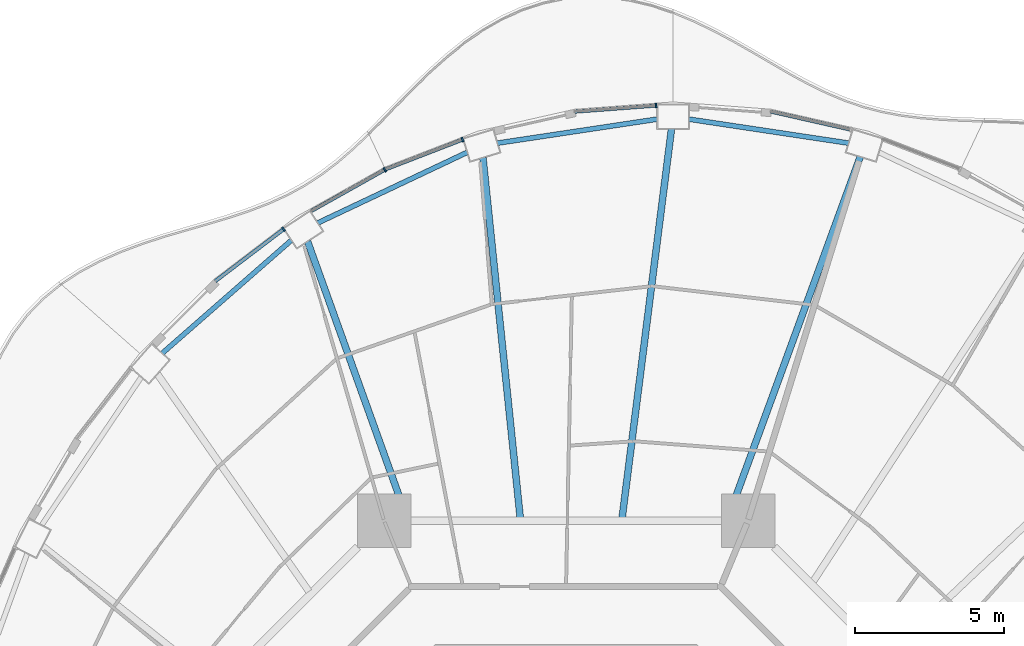
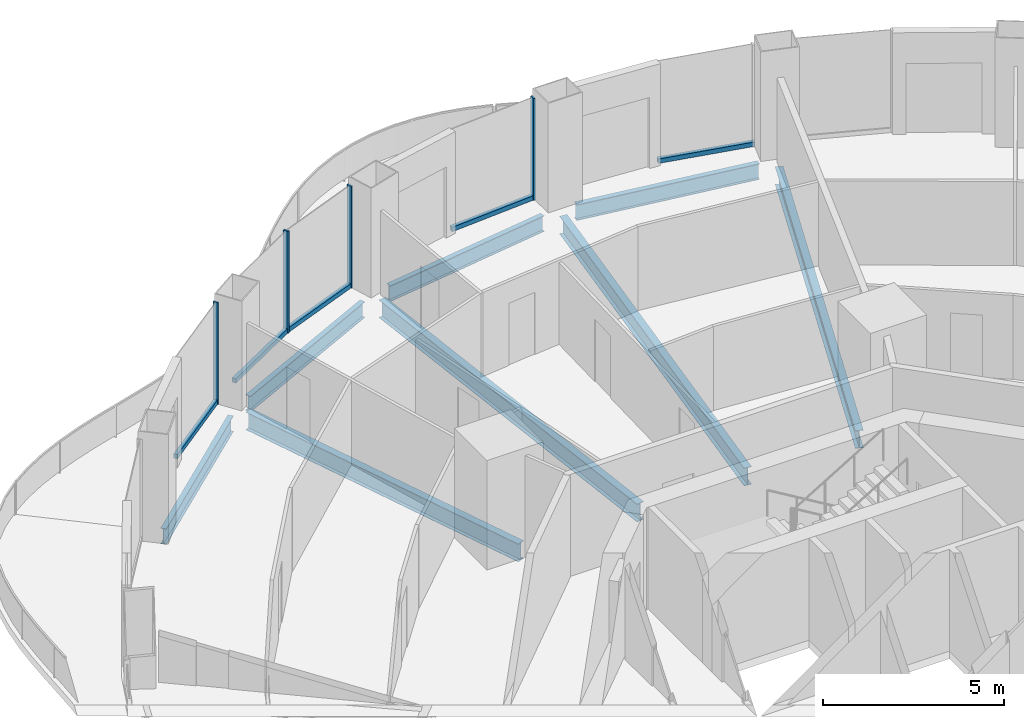
# One storey, part 7 of 19: 9 members, 8 beams, 5 elements without a shape of their own.
"""IFC4 building model written with IfcOpenShell, lengths in metres."""

from ifc_helpers import new_model, si_unit, direction, frame, origin, origin_2d, place, context, subcontext, project, spatial, rectangle, i_section, extrude, material, layer, layer_set, material_profile, profile_set, type_object, element, aggregate, save


model = new_model("IFC4")

# Units and contexts
model_context = context("Model", 3, precision=1e-05, world=origin(), true_north=direction((0.0, 1.0)))
body_context = subcontext(model_context, "Body", "Model", "MODEL_VIEW")
ifc_project = project(units=[si_unit("LENGTHUNIT", "METRE"), si_unit("AREAUNIT", "SQUARE_METRE"), si_unit("VOLUMEUNIT", "CUBIC_METRE"), si_unit("PLANEANGLEUNIT", "RADIAN"), si_unit("MASSUNIT", "GRAM", prefix="KILO")], contexts=[model_context])

# Site, building, storey
site_placement = place(None, origin())
site = spatial("IfcSite", under=ifc_project, at=site_placement, CompositionType="ELEMENT")
building_placement = place(site_placement, origin())
building = spatial("IfcBuilding", under=site, at=building_placement, Name="Nagisa Residences", CompositionType="ELEMENT")
storey_placement = place(building_placement, frame((0.0, 0.0, 169.60009765625)))
storey = spatial("IfcBuildingStorey", under=building, at=storey_placement, Name="L42", CompositionType="ELEMENT", Elevation=169.60009765625)

# Curtain wall, member
ifc_material_1 = material(Name="Concrete-coloured aluminium curtain wall system", Category="concrete")
ifc_layer = layer(ifc_material_1, 0.159912109375)
ifc_layer_set = layer_set([ifc_layer], Name="CW1 CURTAIN WALL")
curtain_wall_type = type_object("IfcCurtainWallType", Name="CW1 CURTAIN WALL", PredefinedType="NOTDEFINED", material=ifc_layer_set)
curtain_wall_1_placement = place(storey_placement, origin())
curtain_wall_1 = element("IfcCurtainWall", 1, at=curtain_wall_1_placement, inside=storey, type_object=curtain_wall_type, Name="cw:CW1:L42:12", PredefinedType="NOTDEFINED")
ifc_material_2 = material(Name="Concrete-coloured aluminium", Category="concrete")
ifc_material_profile_1 = material_profile(ifc_material_2, rectangle(XDim=0.159912109375, YDim=0.06005859375, at=origin_2d()), Name="CW1 MULLION 160x60")
ifc_profile_set_1 = profile_set([ifc_material_profile_1], Name="Concrete-coloured aluminium")
member_type_1 = type_object("IfcMemberType", Name="CW1 MULLION 160x60", PredefinedType="MULLION", material=ifc_profile_set_1)
member_1_placement = place(storey_placement, frame((3.027587890625, 28.752197265625, 0.0), z_axis=(0.0, 0.0, 1.0), x_axis=(0.074377355493, -0.997230168512, 0.0)))
member_1 = element("IfcMember", 2, at=member_1_placement, type_object=member_type_1, Name="CW1 mullion", PredefinedType="MULLION", context=body_context, shape_type="SweptSolid", body=[
    extrude(rectangle(XDim=0.159912109375, YDim=0.06005859375, at=origin_2d()), origin(), (0.0, 0.0, 1.0), 3.43994140625),
])

curtain_wall_2_placement = place(storey_placement, origin())
curtain_wall_2 = element("IfcCurtainWall", 3, at=curtain_wall_2_placement, inside=storey, type_object=curtain_wall_type, Name="cw:CW1:L42:14", PredefinedType="NOTDEFINED")
member_2_placement = place(storey_placement, frame((-3.479736328125, 27.607421875, 0.0), z_axis=(0.0, 0.0, 1.0), x_axis=(0.360327770268, -0.932825759707, 0.0)))
member_2 = element("IfcMember", 4, at=member_2_placement, type_object=member_type_1, Name="CW1 mullion", PredefinedType="MULLION", context=body_context, shape_type="SweptSolid", body=[
    extrude(rectangle(XDim=0.159912109375, YDim=0.06005859375, at=origin_2d()), origin(), (0.0, 0.0, 1.0), 3.43994140625),
])

curtain_wall_3_placement = place(storey_placement, origin())
curtain_wall_3 = element("IfcCurtainWall", 5, at=curtain_wall_3_placement, inside=storey, type_object=curtain_wall_type, Name="cw:CW1:L42:15", PredefinedType="NOTDEFINED")
member_3_placement = place(storey_placement, frame((-6.09765625, 26.592529296875, 0.0), z_axis=(0.0, 0.0, 1.0), x_axis=(0.489376918501, -0.872072377523, 0.0)))
member_3 = element("IfcMember", 6, at=member_3_placement, type_object=member_type_1, Name="CW1 mullion", PredefinedType="MULLION", context=body_context, shape_type="SweptSolid", body=[
    extrude(rectangle(XDim=0.159912109375, YDim=0.06005859375, at=origin_2d()), origin(), (0.0, 0.0, 1.0), 3.43994140625),
])

curtain_wall_4_placement = place(storey_placement, origin())
curtain_wall_4 = element("IfcCurtainWall", 7, at=curtain_wall_4_placement, inside=storey, type_object=curtain_wall_type, Name="cw:CW1:L42:16", PredefinedType="NOTDEFINED")
member_4_placement = place(storey_placement, frame((-9.500732421875, 24.591796875, 0.0), z_axis=(0.0, 0.0, 1.0), x_axis=(0.605255421737, -0.79603132756, 0.0)))
member_4 = element("IfcMember", 8, at=member_4_placement, type_object=member_type_1, Name="CW1 mullion", PredefinedType="MULLION", context=body_context, shape_type="SweptSolid", body=[
    extrude(rectangle(XDim=0.159912109375, YDim=0.06005859375, at=origin_2d()), origin(), (0.0, 0.0, 1.0), 3.43994140625),
])

curtain_wall_5_placement = place(storey_placement, origin())
curtain_wall_5 = element("IfcCurtainWall", 9, at=curtain_wall_5_placement, inside=storey, type_object=curtain_wall_type, Name="cw:CW1:L42:10", PredefinedType="NOTDEFINED")
ifc_material_3 = material(Name="Concrete-coloured aluminium", Category="concrete")
ifc_material_profile_2 = material_profile(ifc_material_3, rectangle(XDim=0.1201171875, YDim=0.14990234375, at=origin_2d()), Name="CW1 TRANSOM 120x150")
ifc_profile_set_2 = profile_set([ifc_material_profile_2], Name="Concrete-coloured aluminium")
member_type_2 = type_object("IfcMemberType", Name="CW1 TRANSOM 120x150", PredefinedType="USERDEFINED", material=ifc_profile_set_2)
member_5_placement = place(storey_placement, frame((9.613525390625, 27.9345703125, 0.074951171875), z_axis=(-0.975324329911, 0.220776926974, 0.0), x_axis=(-0.220776926974, -0.975324329911, 0.0)))
member_5 = element("IfcMember", 10, at=member_5_placement, type_object=member_type_2, Name="CW1 transom", ObjectType="TRANSOM", PredefinedType="USERDEFINED", context=body_context, shape_type="SweptSolid", body=[
    extrude(rectangle(XDim=0.1201171875, YDim=0.14990234375, at=origin_2d()), origin(), (0.0, 0.0, 1.0), 2.787841796875),
])
aggregate(curtain_wall_5, [member_5])

# Member
member_6_placement = place(storey_placement, frame((3.057373046875, 28.75439453125, 0.074951171875), z_axis=(-0.99722504052, -0.074446078208, 0.0), x_axis=(0.074446078208, -0.99722504052, 0.0)))
member_6 = element("IfcMember", 11, at=member_6_placement, type_object=member_type_2, Name="CW1 transom", ObjectType="TRANSOM", PredefinedType="USERDEFINED", context=body_context, shape_type="SweptSolid", body=[
    extrude(rectangle(XDim=0.1201171875, YDim=0.14990234375, at=origin_2d()), origin(), (0.0, 0.0, 1.0), 2.77099609375),
])

aggregate(curtain_wall_1, [member_1, member_6])

member_7_placement = place(storey_placement, frame((-3.45166015625, 27.618408203125, 0.074951171875), z_axis=(-0.932806734513, -0.360377019311, 0.0), x_axis=(0.360377019311, -0.932806734513, 0.0)))
member_7 = element("IfcMember", 12, at=member_7_placement, type_object=member_type_2, Name="CW1 transom", ObjectType="TRANSOM", PredefinedType="USERDEFINED", context=body_context, shape_type="SweptSolid", body=[
    extrude(rectangle(XDim=0.1201171875, YDim=0.14990234375, at=origin_2d()), origin(), (0.0, 0.0, 1.0), 2.819580078125),
])

aggregate(curtain_wall_2, [member_2, member_7])

member_8_placement = place(storey_placement, frame((-6.071533203125, 26.607177734375, 0.074951171875), z_axis=(-0.872057843239, -0.489402817774, 0.0), x_axis=(0.489402817774, -0.872057843239, 0.0)))
member_8 = element("IfcMember", 13, at=member_8_placement, type_object=member_type_2, Name="CW1 transom", ObjectType="TRANSOM", PredefinedType="USERDEFINED", context=body_context, shape_type="SweptSolid", body=[
    extrude(rectangle(XDim=0.1201171875, YDim=0.14990234375, at=origin_2d()), origin(), (0.0, 0.0, 1.0), 2.863525390625),
])

aggregate(curtain_wall_3, [member_3, member_8])

member_9_placement = place(storey_placement, frame((-9.476806640625, 24.60986328125, 0.074951171875), z_axis=(-0.796055733703, -0.60522332146, 0.0), x_axis=(0.60522332146, -0.796055733703, 0.0)))
member_9 = element("IfcMember", 14, at=member_9_placement, type_object=member_type_2, Name="CW1 transom", ObjectType="TRANSOM", PredefinedType="USERDEFINED", context=body_context, shape_type="SweptSolid", body=[
    extrude(rectangle(XDim=0.1201171875, YDim=0.14990234375, at=origin_2d()), origin(), (0.0, 0.0, 1.0), 2.9169921875),
])

aggregate(curtain_wall_4, [member_4, member_9])

# Beams
ifc_material_4 = material(Name="Steel ASTM A572 Gr 50", Category="steel")
ifc_material_profile_3 = material_profile(ifc_material_4, i_section(OverallWidth=0.166015625, OverallDepth=0.534912109375, WebThickness=0.01025390625, FlangeThickness=0.0166015625, at=origin_2d()), Name="W530x85")
ifc_profile_set_3 = profile_set([ifc_material_profile_3], Name="Steel ASTM A572 Gr 50")
beam_type_1 = type_object("IfcBeamType", Name="Perimeter ring beam W530x85", PredefinedType="BEAM", material=ifc_profile_set_3)
for number, where, z_axis, x_axis, name in (
    (15, (9.508056640625, 27.48779296875, -0.527587890625), (-0.988911312658, 0.148507291732, 0.0), (-0.148507291732, -0.988911312658, 0.0), "beam:L42:pb06"),
    (16, (3.06982421875, 28.29541015625, -0.527587890625), (-0.988911312658, -0.148507291732, 0.0), (0.148507291732, -0.988911312658, 0.0), "beam:L42:pb07"),
):
    element("IfcBeam", number, at=place(storey_placement, frame(where, z_axis=z_axis, x_axis=x_axis)), inside=storey, type_object=beam_type_1, Name=name, PredefinedType="BEAM", context=body_context, shape_type="SweptSolid", body=[
        extrude(i_section(OverallWidth=0.166015625, OverallDepth=0.534912109375, WebThickness=0.01025390625, FlangeThickness=0.0166015625, at=origin_2d()), origin(), (0.0, 0.0, 1.0), 5.438232421875),
    ])
beam_1_placement = place(storey_placement, frame((-3.32275390625, 27.17919921875, -0.527587890625), z_axis=(-0.904157325884, -0.427199637232, 0.0), x_axis=(0.427199637232, -0.904157325884, 0.0)))
element("IfcBeam", 17, at=beam_1_placement, inside=storey, type_object=beam_type_1, Name="beam:L42:pb08", PredefinedType="BEAM", context=body_context, shape_type="SweptSolid", body=[
    extrude(i_section(OverallWidth=0.166015625, OverallDepth=0.534912109375, WebThickness=0.01025390625, FlangeThickness=0.0166015625, at=origin_2d()), origin(), (0.0, 0.0, 1.0), 5.56396484375),
])
beam_2_placement = place(storey_placement, frame((-9.240234375, 24.220947265625, -0.527587890625), z_axis=(-0.752461486776, -0.658636250838, 0.0), x_axis=(0.658636250838, -0.752461486776, 0.0)))
element("IfcBeam", 18, at=beam_2_placement, inside=storey, type_object=beam_type_1, Name="beam:L42:pb09", PredefinedType="BEAM", context=body_context, shape_type="SweptSolid", body=[
    extrude(i_section(OverallWidth=0.166015625, OverallDepth=0.534912109375, WebThickness=0.01025390625, FlangeThickness=0.0166015625, at=origin_2d()), origin(), (0.0, 0.0, 1.0), 5.776611328125),
])
ifc_material_5 = material(Name="Steel ASTM A572 Gr 50", Category="steel")
ifc_material_profile_4 = material_profile(ifc_material_5, i_section(OverallWidth=0.22802734375, OverallDepth=0.60302734375, WebThickness=0.010498046875, FlangeThickness=0.014892578125, at=origin_2d()), Name="W610x101")
ifc_profile_set_4 = profile_set([ifc_material_profile_4], Name="Steel ASTM A572 Gr 50")
beam_type_2 = type_object("IfcBeamType", Name="Radial beam W610x101", PredefinedType="BEAM", material=ifc_profile_set_4)
beam_3_placement = place(storey_placement, frame((9.898681640625, 27.02734375, -0.5615234375), z_axis=(-0.343903309659, -0.939005065804, 0.0), x_axis=(0.939005065804, -0.343903309659, 0.0)))
element("IfcBeam", 19, at=beam_3_placement, inside=storey, type_object=beam_type_2, Name="beam:L42:rb06", PredefinedType="BEAM", context=body_context, shape_type="SweptSolid", body=[
    extrude(i_section(OverallWidth=0.22802734375, OverallDepth=0.60302734375, WebThickness=0.010498046875, FlangeThickness=0.014892578125, at=origin_2d()), origin(), (0.0, 0.0, 1.0), 12.92529296875),
])
beam_4_placement = place(storey_placement, frame((3.548583984375, 27.9697265625, -0.5615234375), z_axis=(-0.125871302495, -0.992046579153, 0.0), x_axis=(0.992046579153, -0.125871302495, 0.0)))
element("IfcBeam", 20, at=beam_4_placement, inside=storey, type_object=beam_type_2, Name="beam:L42:rb07", PredefinedType="BEAM", context=body_context, shape_type="SweptSolid", body=[
    extrude(i_section(OverallWidth=0.22802734375, OverallDepth=0.60302734375, WebThickness=0.010498046875, FlangeThickness=0.014892578125, at=origin_2d()), origin(), (0.0, 0.0, 1.0), 13.185546875),
])
beam_5_placement = place(storey_placement, frame((-2.795654296875, 26.997314453125, -0.5615234375), z_axis=(0.103007948723, -0.994680532885, 0.0), x_axis=(0.994680532885, 0.103007948723, 0.0)))
element("IfcBeam", 21, at=beam_5_placement, inside=storey, type_object=beam_type_2, Name="beam:L42:rb08", PredefinedType="BEAM", context=body_context, shape_type="SweptSolid", body=[
    extrude(i_section(OverallWidth=0.22802734375, OverallDepth=0.60302734375, WebThickness=0.010498046875, FlangeThickness=0.014892578125, at=origin_2d()), origin(), (0.0, 0.0, 1.0), 12.1728515625),
])
beam_6_placement = place(storey_placement, frame((-8.6962890625, 24.180908203125, -0.5615234375), z_axis=(0.338417364879, -0.940996114311, 0.0), x_axis=(0.940996114311, 0.338417364879, 0.0)))
element("IfcBeam", 22, at=beam_6_placement, inside=storey, type_object=beam_type_2, Name="beam:L42:rb09", PredefinedType="BEAM", context=body_context, shape_type="SweptSolid", body=[
    extrude(i_section(OverallWidth=0.22802734375, OverallDepth=0.60302734375, WebThickness=0.010498046875, FlangeThickness=0.014892578125, at=origin_2d()), origin(), (0.0, 0.0, 1.0), 9.873291015625),
])

save(model, "model.ifc")
